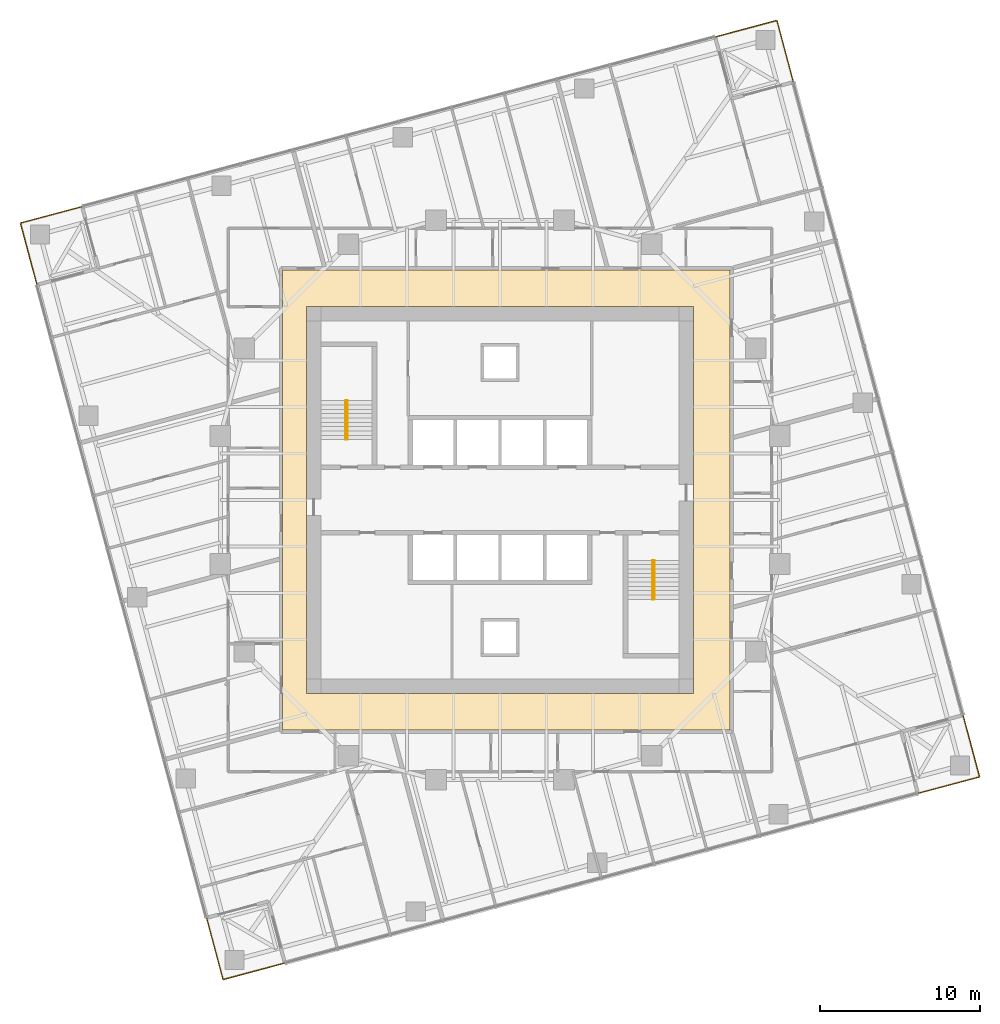
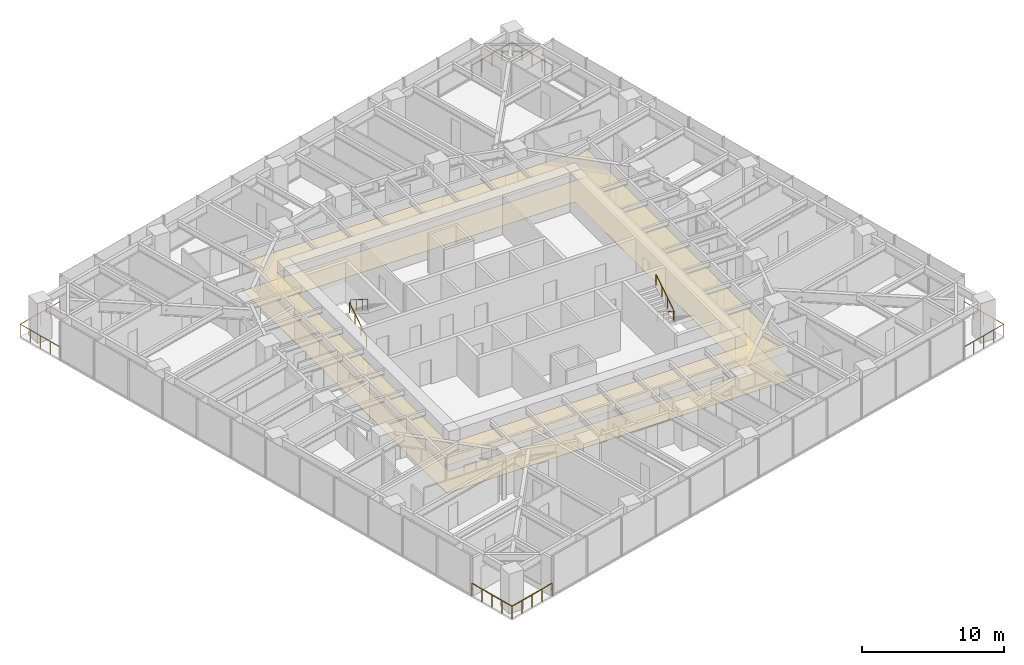
# One storey, part 13 of 13: 8 railings, 2 coverings, 2 elements without a shape of their own.
"""IFC4 building model written with IfcOpenShell, lengths in metres."""

import ifcopenshell
import ifcopenshell.guid

model = None  # the IFC model being written
_history = None  # IfcOwnerHistory: only IFC2X3 demands one
_inside = {}  # id of a spatial element -> (the spatial element, [elements in it])
_under = {}  # id of a project, library or spatial element -> (it, [spatial elements below it])
_declared = {}  # id of a project -> (the project, [libraries it declares])
_typed = {}  # id of a type object -> (the type object, [elements of that type])
_made_of = {}  # id of a material, layer set ... -> (it, [elements and type objects made of it])


def new_model(schema):
    """Start an empty IFC model of exactly this schema.

    Asked for "IFC4X3", IfcOpenShell would pick the latest addendum, in which some entities
    have other attributes; the version numbers below select the first issue.
    IFC2X3 requires an IfcOwnerHistory on every rooted entity: one is made here for all.
    """
    global model, _history
    if schema == "IFC4X3":
        model = ifcopenshell.file(schema_version=(4, 3, 0, 0))
    else:
        model = ifcopenshell.file(schema=schema)
    _inside.clear()
    _under.clear()
    _declared.clear()
    _typed.clear()
    _made_of.clear()
    _history = None
    if model.schema == "IFC2X3":
        org = make("IfcOrganization", Name="unknown")
        user = make(
            "IfcPersonAndOrganization",
            ThePerson=make("IfcPerson", FamilyName="unknown"),
            TheOrganization=org,
        )
        app = make(
            "IfcApplication",
            ApplicationDeveloper=org,
            Version="unknown",
            ApplicationFullName="unknown",
            ApplicationIdentifier="unknown",
        )
        _history = make(
            "IfcOwnerHistory",
            OwningUser=user,
            OwningApplication=app,
            ChangeAction="ADDED",
            CreationDate=0,
        )
    return model


def make(cls, **values):
    """One entity of the class cls with the attributes given. An attribute that is None is left unset."""
    return model.create_entity(
        cls, **{name: value for name, value in values.items() if value is not None}
    )


def rooted(cls, **values):
    """An entity with a GlobalId (a new one), such as an element, a storey or a relation."""
    return make(cls, GlobalId=ifcopenshell.guid.new(), OwnerHistory=_history, **values)


def si_unit(unit_type, name, prefix=None):
    """IfcSIUnit, for example si_unit("LENGTHUNIT", "METRE", prefix="MILLI")."""
    return make("IfcSIUnit", UnitType=unit_type, Prefix=prefix, Name=name)


def assignment(units):
    """IfcUnitAssignment: the units of a project."""
    return None if units is None else make("IfcUnitAssignment", Units=units)


def point(xyz):
    """IfcCartesianPoint."""
    return None if xyz is None else make("IfcCartesianPoint", Coordinates=xyz)


def direction(xyz):
    """IfcDirection."""
    return None if xyz is None else make("IfcDirection", DirectionRatios=xyz)


def frame(location, z_axis=None, x_axis=None):
    """IfcAxis2Placement3D, a coordinate frame: its origin and axes. An axis left out is left unset."""
    return make(
        "IfcAxis2Placement3D",
        Location=point(location),
        Axis=direction(z_axis),
        RefDirection=direction(x_axis),
    )


def frame_2d(location, x_axis=None):
    """IfcAxis2Placement2D, a coordinate frame in the plane: its origin and x axis."""
    return make(
        "IfcAxis2Placement2D", Location=point(location), RefDirection=direction(x_axis)
    )


def origin():
    """The frame at (0, 0, 0) with its axes left unset."""
    return frame((0.0, 0.0, 0.0))


def origin_2d():
    """The frame at (0, 0) in the plane with its x axis left unset."""
    return frame_2d((0.0, 0.0))


def place(relative_to, where):
    """IfcLocalPlacement: puts the frame where relative to a parent placement (None: the world)."""
    return make(
        "IfcLocalPlacement", PlacementRelTo=relative_to, RelativePlacement=where
    )


def context(
    kind, dimensions, precision=None, world=None, true_north=None, identifier=None
):
    """IfcGeometricRepresentationContext, for example the 3D "Model" context."""
    return make(
        "IfcGeometricRepresentationContext",
        ContextIdentifier=identifier,
        ContextType=kind,
        CoordinateSpaceDimension=dimensions,
        Precision=precision,
        WorldCoordinateSystem=world,
        TrueNorth=true_north,
    )


def subcontext(parent, identifier, kind, view, scale=None):
    """IfcGeometricRepresentationSubContext, for example "Body" below "Model"."""
    return make(
        "IfcGeometricRepresentationSubContext",
        ContextIdentifier=identifier,
        ContextType=kind,
        ParentContext=parent,
        TargetScale=scale,
        TargetView=view,
    )


def project(units=None, contexts=None):
    """IfcProject with its units and contexts."""
    return rooted(
        "IfcProject",
        Name="project",
        RepresentationContexts=contexts,
        UnitsInContext=assignment(units),
    )


def spatial(cls, under=None, at=None, **own):
    """A site, building, storey or space (cls), placed at a placement, below another one or the project."""
    s = rooted(cls, ObjectPlacement=at, **own)
    if under is not None:
        _under.setdefault(under.id(), (under, []))[1].append(s)
    return s


def polyline(points):
    """IfcPolyline through the points."""
    return make("IfcPolyline", Points=[point(p) for p in points])


def profile(cls, at=None, kind="AREA", **sizes):
    """A parametric profile (cls). Its sizes go by their IFC names, for example OverallWidth=200.0."""
    return make(cls, ProfileType=kind, Position=at, **sizes)


def circle(**sizes):
    """IfcCircleProfileDef."""
    return profile("IfcCircleProfileDef", **sizes)


def outline(outer, holes=None, kind="AREA"):
    """IfcArbitraryClosedProfileDef: a profile drawn as a closed curve; with holes, ...WithVoids."""
    if holes is None:
        return make("IfcArbitraryClosedProfileDef", ProfileType=kind, OuterCurve=outer)
    return make(
        "IfcArbitraryProfileDefWithVoids",
        ProfileType=kind,
        OuterCurve=outer,
        InnerCurves=holes,
    )


def extrude(swept, where, along, depth):
    """IfcExtrudedAreaSolid: the profile swept, set in the frame where, extruded along a direction by depth."""
    return make(
        "IfcExtrudedAreaSolid",
        SweptArea=swept,
        Position=where,
        ExtrudedDirection=direction(along),
        Depth=depth,
    )


def shape(context_of_items, identifier, shape_type, items):
    """IfcShapeRepresentation: the items that make up one representation, for example the "Body"."""
    return make(
        "IfcShapeRepresentation",
        ContextOfItems=context_of_items,
        RepresentationIdentifier=identifier,
        RepresentationType=shape_type,
        Items=items,
    )


def material(Name=None, Category=None):
    """IfcMaterial."""
    return make("IfcMaterial", Name=Name, Category=Category)


def layer(
    of_material, thickness, ventilated=None, Name=None, Category=None, Priority=None
):
    """IfcMaterialLayer: one layer of a wall or slab, of a material (None: an air gap)."""
    return make(
        "IfcMaterialLayer",
        Material=of_material,
        LayerThickness=thickness,
        IsVentilated=ventilated,
        Name=Name,
        Category=Category,
        Priority=Priority,
    )


def layer_set(layers, Name=None):
    """IfcMaterialLayerSet."""
    return make("IfcMaterialLayerSet", MaterialLayers=layers, LayerSetName=Name)


def made_of(thing, what):
    """Note that an element or type object is made of a material, layer set ...; save() writes the relation."""
    if what is not None:
        _made_of.setdefault(what.id(), (what, []))[1].append(thing)
    return thing


def type_object(cls, material=None, **own):
    """A type object (cls), such as IfcWallType, which elements share."""
    return made_of(rooted(cls, **own), material)


def element(
    cls,
    number,
    at=None,
    inside=None,
    cuts=None,
    type_object=None,
    material=None,
    context=None,
    identifier="Body",
    shape_type=None,
    held_by="IfcProductDefinitionShape",
    body=None,
    shapes=None,
    **own,
):
    """One element of the class cls, such as IfcWall. Its Tag is "e" and its number.

    at: its placement. inside: the storey or other place that contains it. cuts: it is an
    opening in that element (IfcRelVoidsElement). A single representation is given by context,
    identifier, shape_type and body (its items); several are given by shapes. held_by: the class
    of the entity that holds the representations. save() writes the other relations.
    """
    e = rooted(cls, Tag="e%d" % number, ObjectPlacement=at, **own)
    if body is not None:
        shapes = [shape(context, identifier, shape_type, body)]
    if shapes is not None:
        e.Representation = make(held_by, Representations=shapes)
    if inside is not None:
        _inside.setdefault(inside.id(), (inside, []))[1].append(e)
    if cuts is not None:
        rooted(
            "IfcRelVoidsElement", RelatingBuildingElement=cuts, RelatedOpeningElement=e
        )
    if type_object is not None:
        _typed.setdefault(type_object.id(), (type_object, []))[1].append(e)
    return made_of(e, material)


def aggregate(whole, parts):
    """IfcRelAggregates: a whole, such as a stair, and the parts it consists of."""
    return rooted("IfcRelAggregates", RelatingObject=whole, RelatedObjects=parts)


def save(model, path):
    """Write the relations noted so far, then the file.

    IfcRelAggregates (storeys below a building ...), IfcRelContainedInSpatialStructure (elements
    in a storey), IfcRelDefinesByType, IfcRelAssociatesMaterial and IfcRelDeclares: one each for
    every whole, place, type object, material and project.
    """
    for whole, parts in _under.values():
        aggregate(whole, parts)
    for where, things in _inside.values():
        rooted(
            "IfcRelContainedInSpatialStructure",
            RelatedElements=things,
            RelatingStructure=where,
        )
    for kind, things in _typed.values():
        rooted("IfcRelDefinesByType", RelatedObjects=things, RelatingType=kind)
    for what, things in _made_of.values():
        rooted("IfcRelAssociatesMaterial", RelatedObjects=things, RelatingMaterial=what)
    for by, libraries in _declared.values():
        rooted("IfcRelDeclares", RelatingContext=by, RelatedDefinitions=libraries)
    model.write(path)


model = new_model("IFC4")

# Units and contexts
model_context = context("Model", 3, precision=1e-05, world=origin(), true_north=direction((0.0, 1.0)))
body_context = subcontext(model_context, "Body", "Model", "MODEL_VIEW")
ifc_project = project(units=[si_unit("LENGTHUNIT", "METRE"), si_unit("AREAUNIT", "SQUARE_METRE"), si_unit("VOLUMEUNIT", "CUBIC_METRE"), si_unit("PLANEANGLEUNIT", "RADIAN"), si_unit("MASSUNIT", "GRAM", prefix="KILO")], contexts=[model_context])

# Site, building, storey
site_placement = place(None, origin())
site = spatial("IfcSite", under=ifc_project, at=site_placement, CompositionType="ELEMENT")
building_placement = place(site_placement, origin())
building = spatial("IfcBuilding", under=site, at=building_placement, Name="Torsade Residences", CompositionType="ELEMENT")
storey_placement = place(building_placement, frame((0.0, 0.0, 118.39990234375)))
storey = spatial("IfcBuildingStorey", under=building, at=storey_placement, Name="L32", CompositionType="ELEMENT", Elevation=118.39990234375)

# Coverings
ifc_material_1 = material(Name="Nylon carpet tile on underlay", Category="textile")
ifc_layer_1 = layer(ifc_material_1, 0.010009765625)
ifc_layer_set_1 = layer_set([ifc_layer_1], Name="Nylon carpet tile on underlay")
covering_type_1 = type_object("IfcCoveringType", Name="CORRIDOR CARPET TILE 10", PredefinedType="FLOORING", material=ifc_layer_set_1)
covering_1_placement = place(storey_placement, origin())
element("IfcCovering", 1, at=covering_1_placement, inside=storey, type_object=covering_type_1, Name="Corridor carpet L32", PredefinedType="FLOORING", context=body_context, shape_type="SweptSolid", body=[
    extrude(outline(polyline([(54.39990234375, 15.60009765625), (54.39990234375, 44.39990234375), (26.39990234375, 44.39990234375), (26.39990234375, 15.60009765625), (54.39990234375, 15.60009765625)]), holes=[polyline([(52.10009765625, 42.10009765625), (27.89990234375, 42.10009765625), (27.89990234375, 17.89990234375), (52.10009765625, 17.89990234375), (52.10009765625, 42.10009765625)])]), origin(), (0.0, 0.0, 1.0), 0.010009765625),
])
ifc_material_2 = material(Name="Plasterboard on suspended steel grid", Category="steel")
ifc_layer_2 = layer(ifc_material_2, 0.012939453125)
ifc_layer_set_2 = layer_set([ifc_layer_2], Name="Plasterboard on suspended steel grid")
covering_type_2 = type_object("IfcCoveringType", Name="CORRIDOR SUSPENDED CEILING 13", PredefinedType="CEILING", material=ifc_layer_set_2)
covering_2_placement = place(storey_placement, frame((0.0, 0.0, 2.400146484375)))
element("IfcCovering", 2, at=covering_2_placement, inside=storey, type_object=covering_type_2, Name="Corridor ceiling L32", PredefinedType="CEILING", context=body_context, shape_type="SweptSolid", body=[
    extrude(outline(polyline([(54.39990234375, 15.60009765625), (54.39990234375, 44.39990234375), (26.39990234375, 44.39990234375), (26.39990234375, 15.60009765625), (54.39990234375, 15.60009765625)]), holes=[polyline([(52.10009765625, 42.10009765625), (27.89990234375, 42.10009765625), (27.89990234375, 17.89990234375), (52.10009765625, 17.89990234375), (52.10009765625, 42.10009765625)])]), origin(), (0.0, 0.0, 1.0), 0.012939453125),
])

# Stair, railings
ifc_material_3 = material(Name="Precast concrete 40 MPa", Category="concrete")
stair_type = type_object("IfcStairType", Name="HALF-TURN FIRE STAIR 1500x3400", PredefinedType="HALF_TURN_STAIR", material=ifc_material_3)
stair_1_placement = place(storey_placement, origin())
stair_1 = element("IfcStair", 3, at=stair_1_placement, inside=storey, type_object=stair_type, Name="Stair ST1 L32", PredefinedType="HALF_TURN_STAIR")
ifc_material_4 = material(Name="Steel handrail", Category="steel")
railing_type_1 = type_object("IfcRailingType", Name="STAIR HANDRAIL 900", PredefinedType="HANDRAIL", material=ifc_material_4)
railing_1_placement = place(storey_placement, frame((30.35009765625, 33.780029296875, 0.170166015625)))
railing_1 = element("IfcRailing", 4, at=railing_1_placement, type_object=railing_type_1, Name="Handrail ST1 flight 1 L32", PredefinedType="HANDRAIL", context=body_context, shape_type="SweptSolid", body=[
    extrude(circle(Radius=0.02392578125, at=origin_2d()), frame((0.0, 0.0, 0.8759765625), z_axis=(0.0, 0.846221481393, 0.532831309544), x_axis=(-1.0, 0.0, 0.0)), (0.0, 0.0, 1.0), 2.87158203125),
    extrude(circle(Radius=0.02099609375, at=origin_2d()), origin(), (0.0, 0.0, 1.0), 0.851806640625),
    extrude(circle(Radius=0.02099609375, at=origin_2d()), frame((0.0, 0.81005859375, 0.510009765625)), (0.0, 0.0, 1.0), 0.851806640625),
    extrude(circle(Radius=0.02099609375, at=origin_2d()), frame((0.0, 1.619873046875, 1.02001953125)), (0.0, 0.0, 1.0), 0.851806640625),
    extrude(circle(Radius=0.02099609375, at=origin_2d()), frame((0.0, 2.429931640625, 1.530029296875)), (0.0, 0.0, 1.0), 0.851806640625),
])
railing_2_placement = place(storey_placement, frame((30.449951171875, 36.2099609375, 1.8701171875)))
railing_2 = element("IfcRailing", 5, at=railing_2_placement, type_object=railing_type_1, Name="Handrail ST1 flight 2 L32", PredefinedType="HANDRAIL", context=body_context, shape_type="SweptSolid", body=[
    extrude(circle(Radius=0.02392578125, at=origin_2d()), frame((0.0, 0.0, 0.8759765625), z_axis=(0.0, -0.846221481393, 0.532831309544), x_axis=(1.0, 0.0, 0.0)), (0.0, 0.0, 1.0), 2.87158203125),
    extrude(circle(Radius=0.02099609375, at=origin_2d()), origin(), (0.0, 0.0, 1.0), 0.851806640625),
    extrude(circle(Radius=0.02099609375, at=origin_2d()), frame((0.0, -0.81005859375, 0.510009765625)), (0.0, 0.0, 1.0), 0.851806640625),
    extrude(circle(Radius=0.02099609375, at=origin_2d()), frame((0.0, -1.619873046875, 1.02001953125)), (0.0, 0.0, 1.0), 0.851806640625),
    extrude(circle(Radius=0.02099609375, at=origin_2d()), frame((0.0, -2.429931640625, 1.530029296875)), (0.0, 0.0, 1.0), 0.851806640625),
])
aggregate(stair_1, [railing_1, railing_2])

stair_2_placement = place(storey_placement, origin())
stair_2 = element("IfcStair", 6, at=stair_2_placement, inside=storey, type_object=stair_type, Name="Stair ST2 L32", PredefinedType="HALF_TURN_STAIR")
railing_3_placement = place(storey_placement, frame((49.64990234375, 26.219970703125, 0.170166015625)))
railing_3 = element("IfcRailing", 7, at=railing_3_placement, type_object=railing_type_1, Name="Handrail ST2 flight 1 L32", PredefinedType="HANDRAIL", context=body_context, shape_type="SweptSolid", body=[
    extrude(circle(Radius=0.02392578125, at=origin_2d()), frame((0.0, 0.0, 0.8759765625), z_axis=(0.0, -0.846221481393, 0.532831309544), x_axis=(1.0, 0.0, 0.0)), (0.0, 0.0, 1.0), 2.87158203125),
    extrude(circle(Radius=0.02099609375, at=origin_2d()), origin(), (0.0, 0.0, 1.0), 0.851806640625),
    extrude(circle(Radius=0.02099609375, at=origin_2d()), frame((0.0, -0.81005859375, 0.510009765625)), (0.0, 0.0, 1.0), 0.851806640625),
    extrude(circle(Radius=0.02099609375, at=origin_2d()), frame((0.0, -1.619873046875, 1.02001953125)), (0.0, 0.0, 1.0), 0.851806640625),
    extrude(circle(Radius=0.02099609375, at=origin_2d()), frame((0.0, -2.429931640625, 1.530029296875)), (0.0, 0.0, 1.0), 0.851806640625),
])
railing_4_placement = place(storey_placement, frame((49.550048828125, 23.7900390625, 1.8701171875)))
railing_4 = element("IfcRailing", 8, at=railing_4_placement, type_object=railing_type_1, Name="Handrail ST2 flight 2 L32", PredefinedType="HANDRAIL", context=body_context, shape_type="SweptSolid", body=[
    extrude(circle(Radius=0.02392578125, at=origin_2d()), frame((0.0, 0.0, 0.8759765625), z_axis=(0.0, 0.846221481393, 0.532831309544), x_axis=(-1.0, 0.0, 0.0)), (0.0, 0.0, 1.0), 2.87158203125),
    extrude(circle(Radius=0.02099609375, at=origin_2d()), origin(), (0.0, 0.0, 1.0), 0.851806640625),
    extrude(circle(Radius=0.02099609375, at=origin_2d()), frame((0.0, 0.81005859375, 0.510009765625)), (0.0, 0.0, 1.0), 0.851806640625),
    extrude(circle(Radius=0.02099609375, at=origin_2d()), frame((0.0, 1.619873046875, 1.02001953125)), (0.0, 0.0, 1.0), 0.851806640625),
    extrude(circle(Radius=0.02099609375, at=origin_2d()), frame((0.0, 2.429931640625, 1.530029296875)), (0.0, 0.0, 1.0), 0.851806640625),
])
aggregate(stair_2, [railing_3, railing_4])

# Railings
ifc_material_5 = material(Name="Laminated glass balustrade", Category="glass")
railing_type_2 = type_object("IfcRailingType", Name="TERRACE GLASS BALUSTRADE 1100", PredefinedType="BALUSTRADE", material=ifc_material_5)
railing_5_placement = place(storey_placement, frame((66.142578125, 11.640625, 0.0)))
element("IfcRailing", 9, at=railing_5_placement, inside=storey, type_object=railing_type_2, Name="Terrace balustrade SE L32", PredefinedType="BALUSTRADE", context=body_context, shape_type="SweptSolid", body=[
    extrude(circle(Radius=0.02392578125, at=origin_2d()), frame((0.0, 0.0, 1.076171875), z_axis=(0.965934430412, 0.258786931944, 0.0), x_axis=(-0.258786931944, 0.965934430412, 0.0)), (0.0, 0.0, 1.0), 4.0),
    extrude(circle(Radius=0.02392578125, at=origin_2d()), frame((3.86376953125, 1.03515625, 1.076171875), z_axis=(-0.258843877716, 0.965919172068, 0.0), x_axis=(-0.965919172068, -0.258843877716, 0.0)), (0.0, 0.0, 1.0), 4.0),
    extrude(circle(Radius=0.02099609375, at=origin_2d()), origin(), (0.0, 0.0, 1.0), 1.052001953125),
    extrude(circle(Radius=0.02099609375, at=origin_2d()), frame((0.9658203125, 0.2587890625, 0.0)), (0.0, 0.0, 1.0), 1.052001953125),
    extrude(circle(Radius=0.02099609375, at=origin_2d()), frame((1.931884765625, 0.517578125, 0.0)), (0.0, 0.0, 1.0), 1.052001953125),
    extrude(circle(Radius=0.02099609375, at=origin_2d()), frame((2.89794921875, 0.7763671875, 0.0)), (0.0, 0.0, 1.0), 1.052001953125),
    extrude(circle(Radius=0.02099609375, at=origin_2d()), frame((3.86376953125, 1.03515625, 0.0)), (0.0, 0.0, 1.0), 1.052001953125),
    extrude(circle(Radius=0.02099609375, at=origin_2d()), frame((3.60498046875, 2.0009765625, 0.0)), (0.0, 0.0, 1.0), 1.052001953125),
    extrude(circle(Radius=0.02099609375, at=origin_2d()), frame((3.34619140625, 2.967041015625, 0.0)), (0.0, 0.0, 1.0), 1.052001953125),
    extrude(circle(Radius=0.02099609375, at=origin_2d()), frame((3.087158203125, 3.93310546875, 0.0)), (0.0, 0.0, 1.0), 1.052001953125),
    extrude(circle(Radius=0.02099609375, at=origin_2d()), frame((2.828369140625, 4.89892578125, 0.0)), (0.0, 0.0, 1.0), 1.052001953125),
])
railing_6_placement = place(storey_placement, frame((58.359375, 56.142578125, 0.0)))
element("IfcRailing", 10, at=railing_6_placement, inside=storey, type_object=railing_type_2, Name="Terrace balustrade NE L32", PredefinedType="BALUSTRADE", context=body_context, shape_type="SweptSolid", body=[
    extrude(circle(Radius=0.02392578125, at=origin_2d()), frame((0.0, 0.0, 1.076171875), z_axis=(-0.258786931944, 0.965934430412, 0.0), x_axis=(-0.965934430412, -0.258786931944, 0.0)), (0.0, 0.0, 1.0), 4.0),
    extrude(circle(Radius=0.02392578125, at=origin_2d()), frame((-1.03515625, 3.86376953125, 1.076171875), z_axis=(-0.965919172068, -0.258843877716, 0.0), x_axis=(0.258843877716, -0.965919172068, 0.0)), (0.0, 0.0, 1.0), 4.0),
    extrude(circle(Radius=0.02099609375, at=origin_2d()), origin(), (0.0, 0.0, 1.0), 1.052001953125),
    extrude(circle(Radius=0.02099609375, at=origin_2d()), frame((-0.2587890625, 0.9658203125, 0.0)), (0.0, 0.0, 1.0), 1.052001953125),
    extrude(circle(Radius=0.02099609375, at=origin_2d()), frame((-0.517578125, 1.931884765625, 0.0)), (0.0, 0.0, 1.0), 1.052001953125),
    extrude(circle(Radius=0.02099609375, at=origin_2d()), frame((-0.7763671875, 2.89794921875, 0.0)), (0.0, 0.0, 1.0), 1.052001953125),
    extrude(circle(Radius=0.02099609375, at=origin_2d()), frame((-1.03515625, 3.86376953125, 0.0)), (0.0, 0.0, 1.0), 1.052001953125),
    extrude(circle(Radius=0.02099609375, at=origin_2d()), frame((-2.0009765625, 3.60498046875, 0.0)), (0.0, 0.0, 1.0), 1.052001953125),
    extrude(circle(Radius=0.02099609375, at=origin_2d()), frame((-2.967041015625, 3.34619140625, 0.0)), (0.0, 0.0, 1.0), 1.052001953125),
    extrude(circle(Radius=0.02099609375, at=origin_2d()), frame((-3.93310546875, 3.087158203125, 0.0)), (0.0, 0.0, 1.0), 1.052001953125),
    extrude(circle(Radius=0.02099609375, at=origin_2d()), frame((-4.89892578125, 2.828369140625, 0.0)), (0.0, 0.0, 1.0), 1.052001953125),
])
railing_7_placement = place(storey_placement, frame((13.857421875, 48.359375, 0.0)))
element("IfcRailing", 11, at=railing_7_placement, inside=storey, type_object=railing_type_2, Name="Terrace balustrade NW L32", PredefinedType="BALUSTRADE", context=body_context, shape_type="SweptSolid", body=[
    extrude(circle(Radius=0.02392578125, at=origin_2d()), frame((0.0, 0.0, 1.076171875), z_axis=(-0.965934430412, -0.258786931944, 0.0), x_axis=(0.258786931944, -0.965934430412, 0.0)), (0.0, 0.0, 1.0), 4.0),
    extrude(circle(Radius=0.02392578125, at=origin_2d()), frame((-3.86376953125, -1.03515625, 1.076171875), z_axis=(0.258843877716, -0.965919172068, 0.0), x_axis=(0.965919172068, 0.258843877716, 0.0)), (0.0, 0.0, 1.0), 4.0),
    extrude(circle(Radius=0.02099609375, at=origin_2d()), origin(), (0.0, 0.0, 1.0), 1.052001953125),
    extrude(circle(Radius=0.02099609375, at=origin_2d()), frame((-0.9658203125, -0.2587890625, 0.0)), (0.0, 0.0, 1.0), 1.052001953125),
    extrude(circle(Radius=0.02099609375, at=origin_2d()), frame((-1.931884765625, -0.517578125, 0.0)), (0.0, 0.0, 1.0), 1.052001953125),
    extrude(circle(Radius=0.02099609375, at=origin_2d()), frame((-2.89794921875, -0.7763671875, 0.0)), (0.0, 0.0, 1.0), 1.052001953125),
    extrude(circle(Radius=0.02099609375, at=origin_2d()), frame((-3.86376953125, -1.03515625, 0.0)), (0.0, 0.0, 1.0), 1.052001953125),
    extrude(circle(Radius=0.02099609375, at=origin_2d()), frame((-3.60498046875, -2.0009765625, 0.0)), (0.0, 0.0, 1.0), 1.052001953125),
    extrude(circle(Radius=0.02099609375, at=origin_2d()), frame((-3.34619140625, -2.967041015625, 0.0)), (0.0, 0.0, 1.0), 1.052001953125),
    extrude(circle(Radius=0.02099609375, at=origin_2d()), frame((-3.087158203125, -3.93310546875, 0.0)), (0.0, 0.0, 1.0), 1.052001953125),
    extrude(circle(Radius=0.02099609375, at=origin_2d()), frame((-2.828369140625, -4.89892578125, 0.0)), (0.0, 0.0, 1.0), 1.052001953125),
])
railing_8_placement = place(storey_placement, frame((21.640625, 3.857421875, 0.0)))
element("IfcRailing", 12, at=railing_8_placement, inside=storey, type_object=railing_type_2, Name="Terrace balustrade SW L32", PredefinedType="BALUSTRADE", context=body_context, shape_type="SweptSolid", body=[
    extrude(circle(Radius=0.02392578125, at=origin_2d()), frame((0.0, 0.0, 1.076171875), z_axis=(0.258786931944, -0.965934430412, 0.0), x_axis=(0.965934430412, 0.258786931944, 0.0)), (0.0, 0.0, 1.0), 4.0),
    extrude(circle(Radius=0.02392578125, at=origin_2d()), frame((1.03515625, -3.86376953125, 1.076171875), z_axis=(0.965919172068, 0.258843877716, 0.0), x_axis=(-0.258843877716, 0.965919172068, 0.0)), (0.0, 0.0, 1.0), 4.0),
    extrude(circle(Radius=0.02099609375, at=origin_2d()), origin(), (0.0, 0.0, 1.0), 1.052001953125),
    extrude(circle(Radius=0.02099609375, at=origin_2d()), frame((0.2587890625, -0.9658203125, 0.0)), (0.0, 0.0, 1.0), 1.052001953125),
    extrude(circle(Radius=0.02099609375, at=origin_2d()), frame((0.517578125, -1.931884765625, 0.0)), (0.0, 0.0, 1.0), 1.052001953125),
    extrude(circle(Radius=0.02099609375, at=origin_2d()), frame((0.7763671875, -2.89794921875, 0.0)), (0.0, 0.0, 1.0), 1.052001953125),
    extrude(circle(Radius=0.02099609375, at=origin_2d()), frame((1.03515625, -3.86376953125, 0.0)), (0.0, 0.0, 1.0), 1.052001953125),
    extrude(circle(Radius=0.02099609375, at=origin_2d()), frame((2.0009765625, -3.60498046875, 0.0)), (0.0, 0.0, 1.0), 1.052001953125),
    extrude(circle(Radius=0.02099609375, at=origin_2d()), frame((2.967041015625, -3.34619140625, 0.0)), (0.0, 0.0, 1.0), 1.052001953125),
    extrude(circle(Radius=0.02099609375, at=origin_2d()), frame((3.93310546875, -3.087158203125, 0.0)), (0.0, 0.0, 1.0), 1.052001953125),
    extrude(circle(Radius=0.02099609375, at=origin_2d()), frame((4.89892578125, -2.828369140625, 0.0)), (0.0, 0.0, 1.0), 1.052001953125),
])

save(model, "model.ifc")
